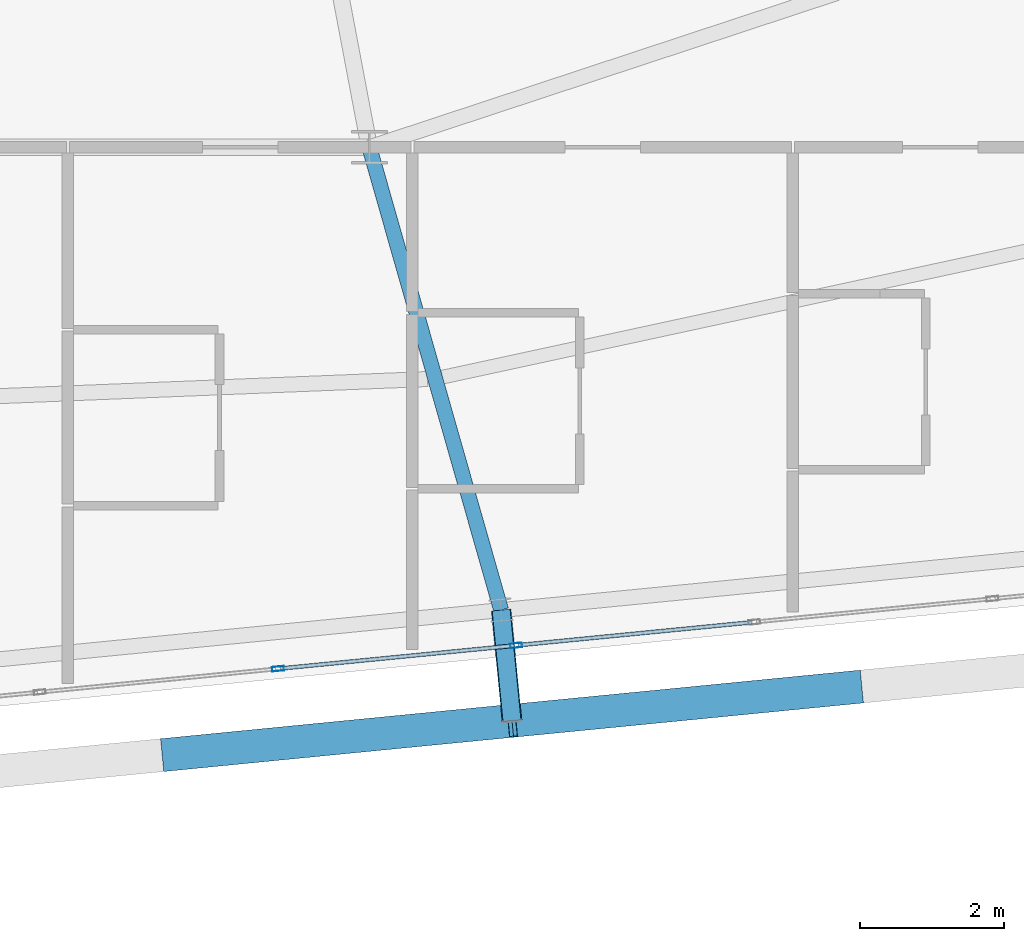
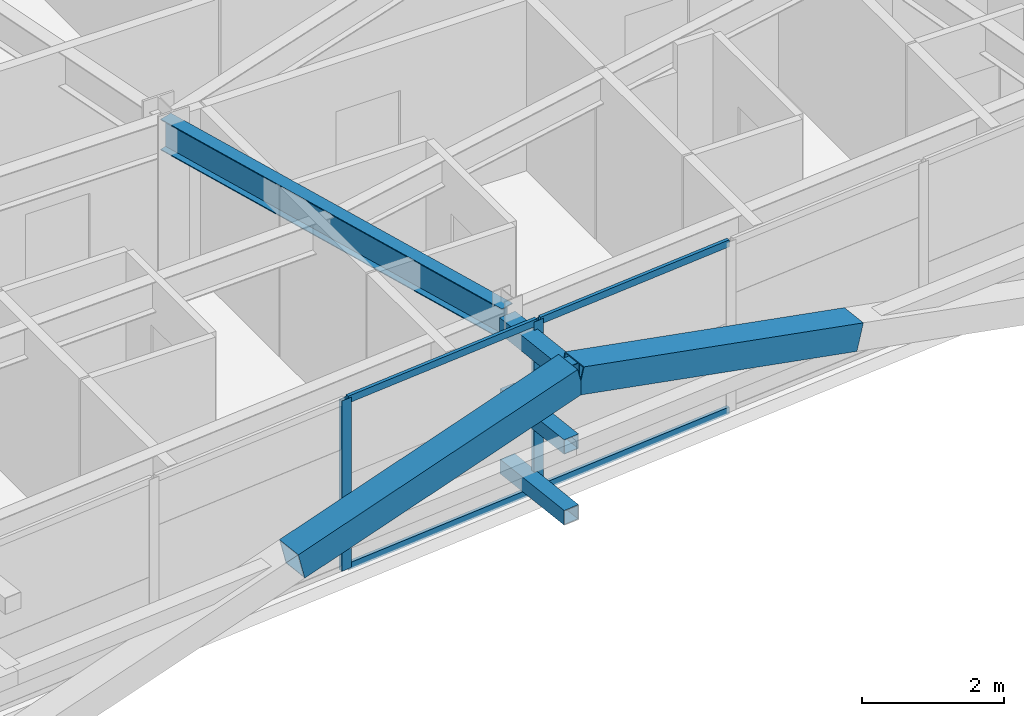
# One storey, part 17 of 53: 11 members, 1 beam, 1 element without a shape of its own.
"""IFC4 building model written with IfcOpenShell, lengths in metres."""

from ifc_helpers import new_model, si_unit, direction, frame, origin, origin_2d, place, context, subcontext, project, spatial, hollow_rectangle, i_section, extrude, source, transform, mapped, material, layer, layer_set, material_profile, profile_set, type_object, element, aggregate, save


model = new_model("IFC4")

# Units and contexts
model_context = context("Model", 3, precision=1e-05, world=origin(), true_north=direction((0.0, 1.0)))
body_context = subcontext(model_context, "Body", "Model", "MODEL_VIEW")
ifc_project = project(units=[si_unit("LENGTHUNIT", "METRE"), si_unit("AREAUNIT", "SQUARE_METRE"), si_unit("VOLUMEUNIT", "CUBIC_METRE"), si_unit("PLANEANGLEUNIT", "RADIAN"), si_unit("MASSUNIT", "GRAM", prefix="KILO")], contexts=[model_context])

# Site, building, storey
site_placement = place(None, origin())
site = spatial("IfcSite", under=ifc_project, at=site_placement, CompositionType="ELEMENT")
building_placement = place(site_placement, origin())
building = spatial("IfcBuilding", under=site, at=building_placement, Name="Taldren Reach Tower", CompositionType="ELEMENT")
storey_placement = place(building_placement, frame((0.0, 0.0, 68.25)))
storey = spatial("IfcBuildingStorey", under=building, at=storey_placement, Name="L20", CompositionType="ELEMENT", Elevation=68.25)

# Members
ifc_material_1 = material(Name="Steel Gr 450 (C450L0)", Category="steel")
ifc_material_profile_1 = material_profile(ifc_material_1, hollow_rectangle(XDim=0.27490234375, YDim=0.27490234375, WallThickness=0.00927734375, at=origin_2d()), Name="275x275x9.3SHS")
ifc_profile_set_1 = profile_set([ifc_material_profile_1], Name="Steel Gr 450 (C450L0)")
member_type_1 = type_object("IfcMemberType", Name="MB-TIE273", PredefinedType="STRUT", material=ifc_profile_set_1)
shared_shape_1 = source(origin(), body_context, "Body", "SweptSolid", [
    extrude(hollow_rectangle(XDim=0.27490234375, YDim=0.27490234375, WallThickness=0.00927734375, at=origin_2d()), origin(), (0.0, 0.0, 1.0), 1.5498046875),
])
member_1_placement = place(storey_placement, frame((43.83544921875, 2.75390625, 2.64990234375), z_axis=(0.097663201064, -0.995219523099, 0.0), x_axis=(0.995219523099, 0.097663201064, 0.0)))
element("IfcMember", 1, at=member_1_placement, inside=storey, type_object=member_type_1, Name="Exoskeleton diaphragm tie strut B2-S4 L20", PredefinedType="STRUT", context=body_context, shape_type="MappedRepresentation", body=[
    mapped(shared_shape_1, transform((0.0, 0.0, 0.0), scale=1.0)),
])
ifc_material_2 = material(Name="Steel Gr 350 (C350L0)", Category="steel")
ifc_material_profile_2 = material_profile(ifc_material_2, hollow_rectangle(XDim=0.25, YDim=0.25, WallThickness=0.010009765625, at=origin_2d()), Name="250x250x10.0SHS")
ifc_profile_set_2 = profile_set([ifc_material_profile_2], Name="Steel Gr 350 (C350L0)")
member_type_2 = type_object("IfcMemberType", Name="MB-POST250", PredefinedType="POST", material=ifc_profile_set_2)
shared_shape_2 = source(origin(), body_context, "Body", "SweptSolid", [
    extrude(hollow_rectangle(XDim=0.25, YDim=0.25, WallThickness=0.010009765625, at=origin_2d()), origin(), (0.0, 0.0, 1.0), 1.5498046875),
])
for number, where, z_axis, x_axis, name in (
    (2, (43.83544921875, 2.75390625, 0.219970703125), (0.097663201064, -0.995219523099, 0.0), (0.995219523099, 0.097663201064, 0.0), "Exoskeleton base diaphragm tie strut B2-S4 L20"),
    (3, (43.83544921875, 2.75390625, 1.43505859375), (0.097663201064, -0.995219523099, 0.0), (0.995219523099, 0.097663201064, 0.0), "Exoskeleton mid-tier diaphragm tie B2-S4 L20"),
):
    element("IfcMember", number, at=place(storey_placement, frame(where, z_axis=z_axis, x_axis=x_axis)), inside=storey, type_object=member_type_2, Name=name, PredefinedType="POST", context=body_context, shape_type="MappedRepresentation", body=[
        mapped(shared_shape_2, transform((0.0, 0.0, 0.0), scale=1.0)),
    ])

# Beam
ifc_material_3 = material(Name="Steel Gr 350 (350PLUS)", Category="steel")
ifc_material_profile_3 = material_profile(ifc_material_3, i_section(OverallWidth=0.208984375, OverallDepth=0.532958984375, WebThickness=0.01025390625, FlangeThickness=0.015625, at=origin_2d()), Name="530UB92.4")
ifc_profile_set_3 = profile_set([ifc_material_profile_3], Name="Steel Gr 350 (350PLUS)")
beam_type = type_object("IfcBeamType", Name="BM-UB530A", PredefinedType="BEAM", material=ifc_profile_set_3)
shared_shape_3 = source(origin(), body_context, "Body", "SweptSolid", [
    extrude(i_section(OverallWidth=0.208984375, OverallDepth=0.532958984375, WebThickness=0.01025390625, FlangeThickness=0.015625, at=origin_2d()), origin(), (0.0, 0.0, 1.0), 6.7021484375),
])
beam_placement = place(storey_placement, frame((42.0, 9.199951171875, 2.66357421875), z_axis=(0.273855026091, -0.961770983491, 0.0), x_axis=(0.961770983491, 0.273855026091, 0.0)))
element("IfcBeam", 4, at=beam_placement, inside=storey, type_object=beam_type, Name="Primary floor girder B2-S4 L20", PredefinedType="BEAM", context=body_context, shape_type="MappedRepresentation", body=[
    mapped(shared_shape_3, transform((0.0, 0.0, 0.0), scale=1.0)),
])

# Members
ifc_material_profile_4 = material_profile(ifc_material_1, hollow_rectangle(XDim=0.4599609375, YDim=0.4599609375, WallThickness=0.01611328125, at=origin_2d()), Name="460x460x16.0SHS")
ifc_profile_set_4 = profile_set([ifc_material_profile_4], Name="Steel Gr 450 (C450L0)")
member_type_3 = type_object("IfcMemberType", Name="MB-EXO457", PredefinedType="BRACE", material=ifc_profile_set_4)
shared_shape_4 = source(origin(), body_context, "Body", "SweptSolid", [
    extrude(hollow_rectangle(XDim=0.4599609375, YDim=0.4599609375, WallThickness=0.01611328125, at=origin_2d()), origin(), (0.0, 0.0, 1.0), 4.990234375),
])
for number, where, z_axis, x_axis, name in (
    (5, (39.169921875, 0.739013671875, 1.43505859375), (0.965282554799, 0.094669120301, 0.243448859234), (-0.097605711627, 0.995225162995, 0.0), "Exoskeleton Diagrid Brace B2-S3 L20"),
    (6, (48.8037109375, 1.68359375, 1.43505859375), (-0.965287024526, -0.094620633828, 0.24344998652), (0.097555749586, -0.995230061706, 0.0), "Exoskeleton Diagrid Brace B2-S4 L20"),
):
    element("IfcMember", number, at=place(storey_placement, frame(where, z_axis=z_axis, x_axis=x_axis)), inside=storey, type_object=member_type_3, Name=name, PredefinedType="BRACE", context=body_context, shape_type="MappedRepresentation", body=[
        mapped(shared_shape_4, transform((0.0, 0.0, 0.0), scale=1.0)),
    ])

# Curtain wall, members
ifc_material_4 = material(Name="Aluminium and Low-E Glass Unitised System", Category="aluminium")
ifc_layer = layer(ifc_material_4, 0.159912109375)
ifc_layer_set = layer_set([ifc_layer], Name="Aluminium and Low-E Glass Unitised System")
curtain_wall_type = type_object("IfcCurtainWallType", Name="CW-SYS-3", PredefinedType="NOTDEFINED", material=ifc_layer_set)
curtain_wall_placement = place(storey_placement, origin())
curtain_wall = element("IfcCurtainWall", 7, at=curtain_wall_placement, inside=storey, type_object=curtain_wall_type, Name="Unitised curtain wall CW-L20-S", PredefinedType="NOTDEFINED")
ifc_material_5 = material(Name="Anodised Aluminium 6063-T6", Category="aluminium")
ifc_material_profile_5 = material_profile(ifc_material_5, hollow_rectangle(XDim=0.06494140625, YDim=0.1650390625, WallThickness=0.00390625, at=origin_2d()), Name="ALU-165x65x4RHS")
ifc_profile_set_5 = profile_set([ifc_material_profile_5], Name="Anodised Aluminium 6063-T6")
member_type_4 = type_object("IfcMemberType", Name="CW-MUL-165", PredefinedType="MULLION", material=ifc_profile_set_5)
shared_shape_5 = source(origin(), body_context, "Body", "SweptSolid", [
    extrude(hollow_rectangle(XDim=0.06494140625, YDim=0.1650390625, WallThickness=0.00390625, at=origin_2d()), origin(), (0.0, 0.0, 1.0), 2.929931640625),
])
member_2_placement = place(storey_placement, frame((40.72705078125, 1.936767578125, 0.0), z_axis=(0.0, 0.0, 1.0), x_axis=(-0.097582999046, 0.995227390247, 0.0)))
member_2 = element("IfcMember", 8, at=member_2_placement, type_object=member_type_4, Name="CW-3 mullion 9", PredefinedType="MULLION", context=body_context, shape_type="MappedRepresentation", body=[
    mapped(shared_shape_5, transform((0.0, 0.0, 0.0), scale=1.0)),
])
member_3_placement = place(storey_placement, frame((44.044677734375, 2.261962890625, 0.0), z_axis=(0.0, 0.0, 1.0), x_axis=(-0.097582999046, 0.995227390247, 0.0)))
member_3 = element("IfcMember", 9, at=member_3_placement, type_object=member_type_4, Name="CW-3 mullion 10", PredefinedType="MULLION", context=body_context, shape_type="MappedRepresentation", body=[
    mapped(shared_shape_5, transform((0.0, 0.0, 0.0), scale=1.0)),
])
ifc_material_profile_6 = material_profile(ifc_material_5, hollow_rectangle(XDim=0.054931640625, YDim=0.1201171875, WallThickness=0.0029296875, at=origin_2d()), Name="ALU-120x55x3RHS")
ifc_profile_set_6 = profile_set([ifc_material_profile_6], Name="Anodised Aluminium 6063-T6")
member_type_5 = type_object("IfcMemberType", Name="CW-TRN-135", PredefinedType="USERDEFINED", material=ifc_profile_set_6)
shared_shape_6 = source(origin(), body_context, "Body", "SweptSolid", [
    extrude(hollow_rectangle(XDim=0.054931640625, YDim=0.1201171875, WallThickness=0.0029296875, at=origin_2d()), origin(), (0.0, 0.0, 1.0), 3.268310546875),
])
member_4_placement = place(storey_placement, frame((40.759521484375, 1.93994140625, 0.027587890625), z_axis=(0.99522980512, 0.097558367146, 0.0), x_axis=(-0.097558367146, 0.99522980512, 0.0)))
member_4 = element("IfcMember", 10, at=member_4_placement, type_object=member_type_5, Name="CW-3 transom 9.1", ObjectType="TRANSOM", PredefinedType="USERDEFINED", context=body_context, shape_type="MappedRepresentation", body=[
    mapped(shared_shape_6, transform((0.0, 0.0, 0.0), scale=1.0)),
])
member_5_placement = place(storey_placement, frame((40.759521484375, 1.93994140625, 2.902587890625), z_axis=(0.99522980512, 0.097558367146, 0.0), x_axis=(-0.097558367146, 0.99522980512, 0.0)))
member_5 = element("IfcMember", 11, at=member_5_placement, type_object=member_type_5, Name="CW-3 transom 9.2", ObjectType="TRANSOM", PredefinedType="USERDEFINED", context=body_context, shape_type="MappedRepresentation", body=[
    mapped(shared_shape_6, transform((0.0, 0.0, 0.0), scale=1.0)),
])
member_6_placement = place(storey_placement, frame((44.076904296875, 2.26513671875, 0.027587890625), z_axis=(0.99522980512, 0.097558367146, 0.0), x_axis=(-0.097558367146, 0.99522980512, 0.0)))
member_6 = element("IfcMember", 12, at=member_6_placement, type_object=member_type_5, Name="CW-3 transom 10.1", ObjectType="TRANSOM", PredefinedType="USERDEFINED", context=body_context, shape_type="MappedRepresentation", body=[
    mapped(shared_shape_6, transform((0.0, 0.0, 0.0), scale=1.0)),
])
member_7_placement = place(storey_placement, frame((44.076904296875, 2.26513671875, 2.902587890625), z_axis=(0.99522980512, 0.097558367146, 0.0), x_axis=(-0.097558367146, 0.99522980512, 0.0)))
member_7 = element("IfcMember", 13, at=member_7_placement, type_object=member_type_5, Name="CW-3 transom 10.2", ObjectType="TRANSOM", PredefinedType="USERDEFINED", context=body_context, shape_type="MappedRepresentation", body=[
    mapped(shared_shape_6, transform((0.0, 0.0, 0.0), scale=1.0)),
])
aggregate(curtain_wall, [member_2, member_3, member_4, member_5, member_6, member_7])

save(model, "model.ifc")
